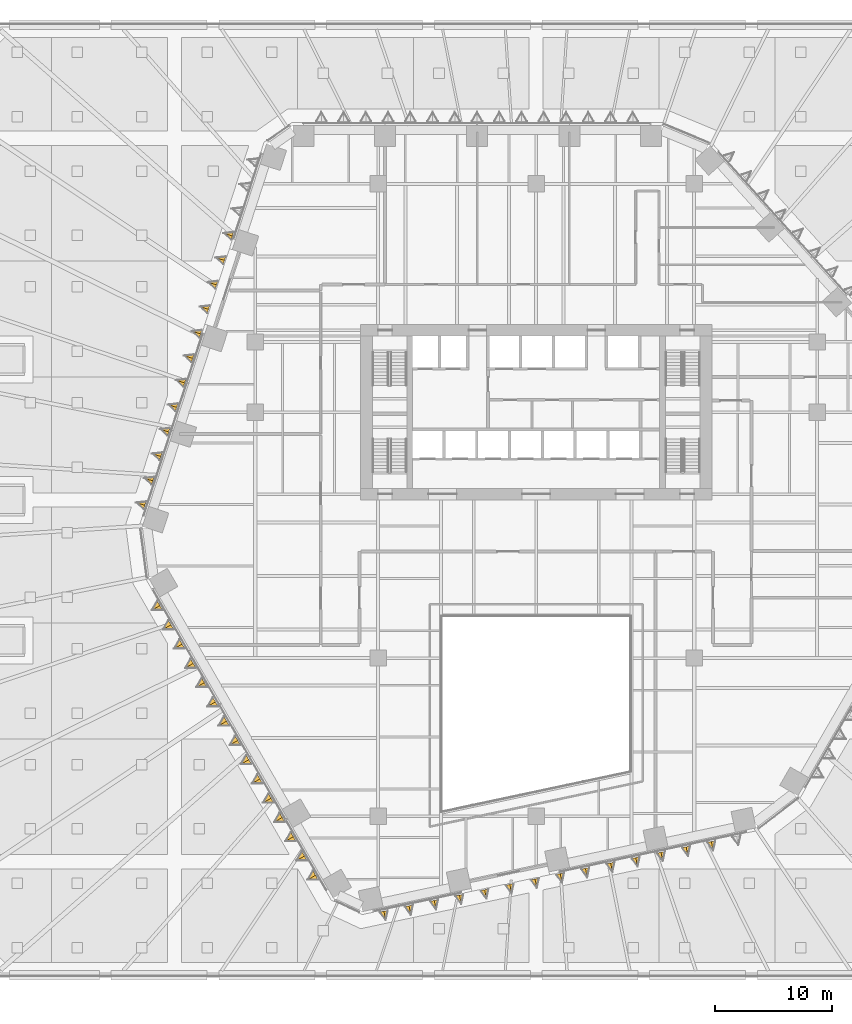
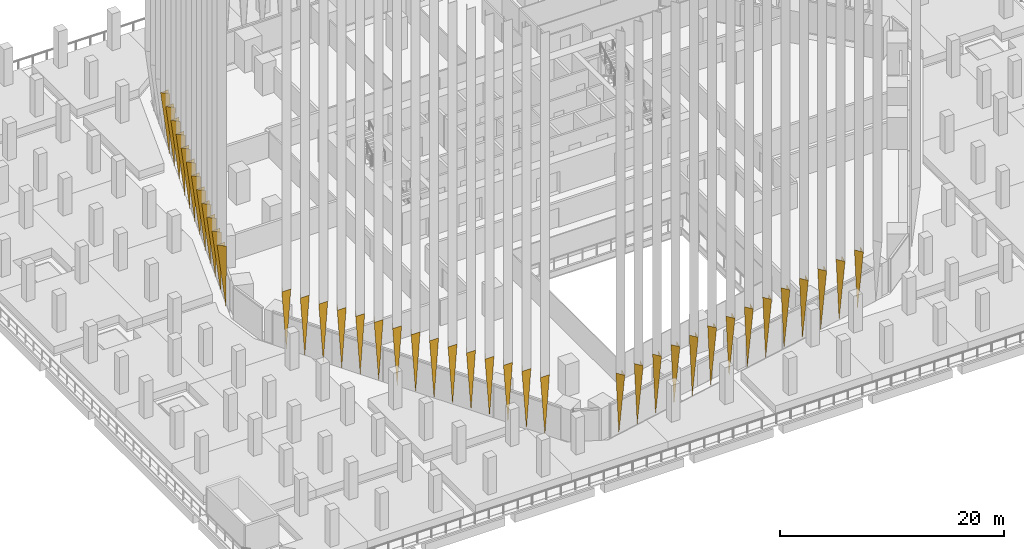
# One storey, part 47 of 51: 41 coverings.
"""IFC4 building model written with IfcOpenShell, lengths in metres."""

from ifc_helpers import new_model, si_unit, direction, frame, origin, place, context, subcontext, project, spatial, polyline, outline, faceted_brep, material, material_profile, profile_set, type_object, element, save


model = new_model("IFC4")

# Units and contexts
model_context = context("Model", 3, precision=1e-05, world=origin(), true_north=direction((0.0, 1.0)))
body_context = subcontext(model_context, "Body", "Model", "MODEL_VIEW")
ifc_project = project(units=[si_unit("LENGTHUNIT", "METRE"), si_unit("AREAUNIT", "SQUARE_METRE"), si_unit("VOLUMEUNIT", "CUBIC_METRE"), si_unit("PLANEANGLEUNIT", "RADIAN"), si_unit("MASSUNIT", "GRAM", prefix="KILO")], contexts=[model_context])

# Site, building, storey
site_placement = place(None, origin())
site = spatial("IfcSite", under=ifc_project, at=site_placement, CompositionType="ELEMENT")
building_placement = place(site_placement, origin())
building = spatial("IfcBuilding", under=site, at=building_placement, Name="Isthmus Gate Tower", CompositionType="ELEMENT")
storey_placement = place(building_placement, frame((0.0, 0.0, 36.0)))
storey = spatial("IfcBuildingStorey", under=building, at=storey_placement, Name="L06", CompositionType="ELEMENT", Elevation=36.0)

# Coverings
ifc_material_1 = material(Name="Structural steel ASTM A572 Gr 50, white paint system", Category="steel")
ifc_material_profile_1 = material_profile(ifc_material_1, outline(polyline([(0.0, -0.356201171875), (0.800048828125, 0.0), (0.0, 0.356201171875), (0.0, 0.3232421875), (0.726318359375, 0.0), (0.0, -0.3232421875), (0.0, -0.356201171875)])), Name="V800")
ifc_profile_set_1 = profile_set([ifc_material_profile_1], Name="Structural steel ASTM A572 Gr 50, white paint system")
covering_type_1 = type_object("IfcCoveringType", Name="FIN V 800 DEEP FOOT", PredefinedType="CLADDING", material=ifc_profile_set_1)
covering_1_placement = place(storey_placement, frame((0.0, 0.0, -36.0)))
element("IfcCovering", 1, at=covering_1_placement, inside=storey, type_object=covering_type_1, Name="FIN", ObjectType="FIN", PredefinedType="CLADDING", context=body_context, shape_type="Brep", body=[
    faceted_brep([(-25.841064453125, 22.893310546875, 42.89990234375), (-26.7119140625, 22.8017578125, 42.89990234375), (-26.061279296875, 22.215576171875, 42.89990234375), (-26.051025390625, 22.246826171875, 42.89990234375), (-26.641845703125, 22.77880859375, 42.89990234375), (-25.851318359375, 22.862060546875, 42.89990234375), (-25.951171875, 22.554443359375, 36.10009765625)], [[[0, 1, 2, 3, 4, 5]], [[1, 0, 6]], [[2, 1, 6]], [[3, 2, 6]], [[4, 3, 6]], [[5, 4, 6]], [[0, 5, 6]]]),
])
covering_2_placement = place(storey_placement, frame((0.0, 0.0, -36.0)))
element("IfcCovering", 2, at=covering_2_placement, inside=storey, type_object=covering_type_1, Name="FIN", ObjectType="FIN", PredefinedType="CLADDING", context=body_context, shape_type="Brep", body=[
    faceted_brep([(-26.520751953125, 20.801025390625, 42.89990234375), (-27.3916015625, 20.70947265625, 42.89990234375), (-26.740966796875, 20.123291015625, 42.89990234375), (-26.730712890625, 20.154541015625, 42.89990234375), (-27.321533203125, 20.6865234375, 42.89990234375), (-26.531005859375, 20.769775390625, 42.89990234375), (-26.630859375, 20.462158203125, 36.10009765625)], [[[0, 1, 2, 3, 4, 5]], [[1, 0, 6]], [[2, 1, 6]], [[3, 2, 6]], [[4, 3, 6]], [[5, 4, 6]], [[0, 5, 6]]]),
])
covering_3_placement = place(storey_placement, frame((0.0, 0.0, -36.0)))
element("IfcCovering", 3, at=covering_3_placement, inside=storey, type_object=covering_type_1, Name="FIN", ObjectType="FIN", PredefinedType="CLADDING", context=body_context, shape_type="Brep", body=[
    faceted_brep([(-27.20068359375, 18.708740234375, 42.89990234375), (-28.071533203125, 18.6171875, 42.89990234375), (-27.4208984375, 18.031005859375, 42.89990234375), (-27.41064453125, 18.062255859375, 42.89990234375), (-28.00146484375, 18.59423828125, 42.89990234375), (-27.2109375, 18.677490234375, 42.89990234375), (-27.310791015625, 18.369873046875, 36.10009765625)], [[[0, 1, 2, 3, 4, 5]], [[1, 0, 6]], [[2, 1, 6]], [[3, 2, 6]], [[4, 3, 6]], [[5, 4, 6]], [[0, 5, 6]]]),
])
covering_4_placement = place(storey_placement, frame((0.0, 0.0, -36.0)))
element("IfcCovering", 4, at=covering_4_placement, inside=storey, type_object=covering_type_1, Name="FIN", ObjectType="FIN", PredefinedType="CLADDING", context=body_context, shape_type="Brep", body=[
    faceted_brep([(-27.880615234375, 16.616455078125, 42.89990234375), (-28.75146484375, 16.52490234375, 42.89990234375), (-28.100830078125, 15.938720703125, 42.89990234375), (-28.090576171875, 15.969970703125, 42.89990234375), (-28.681396484375, 16.501953125, 42.89990234375), (-27.890869140625, 16.585205078125, 42.89990234375), (-27.99072265625, 16.277587890625, 36.10009765625)], [[[0, 1, 2, 3, 4, 5]], [[1, 0, 6]], [[2, 1, 6]], [[3, 2, 6]], [[4, 3, 6]], [[5, 4, 6]], [[0, 5, 6]]]),
])
covering_5_placement = place(storey_placement, frame((0.0, 0.0, -36.0)))
element("IfcCovering", 5, at=covering_5_placement, inside=storey, type_object=covering_type_1, Name="FIN", ObjectType="FIN", PredefinedType="CLADDING", context=body_context, shape_type="Brep", body=[
    faceted_brep([(-28.560302734375, 14.524169921875, 42.89990234375), (-29.43115234375, 14.4326171875, 42.89990234375), (-28.780517578125, 13.846435546875, 42.89990234375), (-28.770263671875, 13.877685546875, 42.89990234375), (-29.361083984375, 14.40966796875, 42.89990234375), (-28.570556640625, 14.492919921875, 42.89990234375), (-28.67041015625, 14.185302734375, 36.10009765625)], [[[0, 1, 2, 3, 4, 5]], [[1, 0, 6]], [[2, 1, 6]], [[3, 2, 6]], [[4, 3, 6]], [[5, 4, 6]], [[0, 5, 6]]]),
])
covering_6_placement = place(storey_placement, frame((0.0, 0.0, -36.0)))
element("IfcCovering", 6, at=covering_6_placement, inside=storey, type_object=covering_type_1, Name="FIN", ObjectType="FIN", PredefinedType="CLADDING", context=body_context, shape_type="Brep", body=[
    faceted_brep([(-29.240234375, 12.431640625, 42.89990234375), (-30.111083984375, 12.340087890625, 42.89990234375), (-29.46044921875, 11.75390625, 42.89990234375), (-29.4501953125, 11.78515625, 42.89990234375), (-30.041015625, 12.317138671875, 42.89990234375), (-29.25048828125, 12.400390625, 42.89990234375), (-29.350341796875, 12.0927734375, 36.10009765625)], [[[0, 1, 2, 3, 4, 5]], [[1, 0, 6]], [[2, 1, 6]], [[3, 2, 6]], [[4, 3, 6]], [[5, 4, 6]], [[0, 5, 6]]]),
])
covering_7_placement = place(storey_placement, frame((0.0, 0.0, -36.0)))
element("IfcCovering", 7, at=covering_7_placement, inside=storey, type_object=covering_type_1, Name="FIN", ObjectType="FIN", PredefinedType="CLADDING", context=body_context, shape_type="Brep", body=[
    faceted_brep([(-29.920166015625, 10.33935546875, 42.89990234375), (-30.791015625, 10.247802734375, 42.89990234375), (-30.140380859375, 9.66162109375, 42.89990234375), (-30.130126953125, 9.69287109375, 42.89990234375), (-30.720947265625, 10.224853515625, 42.89990234375), (-29.930419921875, 10.30810546875, 42.89990234375), (-30.0302734375, 10.00048828125, 36.10009765625)], [[[0, 1, 2, 3, 4, 5]], [[1, 0, 6]], [[2, 1, 6]], [[3, 2, 6]], [[4, 3, 6]], [[5, 4, 6]], [[0, 5, 6]]]),
])
covering_8_placement = place(storey_placement, frame((0.0, 0.0, -36.0)))
element("IfcCovering", 8, at=covering_8_placement, inside=storey, type_object=covering_type_1, Name="FIN", ObjectType="FIN", PredefinedType="CLADDING", context=body_context, shape_type="Brep", body=[
    faceted_brep([(-30.599853515625, 8.2470703125, 42.89990234375), (-31.470703125, 8.155517578125, 42.89990234375), (-30.820068359375, 7.5693359375, 42.89990234375), (-30.809814453125, 7.6005859375, 42.89990234375), (-31.400634765625, 8.132568359375, 42.89990234375), (-30.610107421875, 8.2158203125, 42.89990234375), (-30.7099609375, 7.908203125, 36.10009765625)], [[[0, 1, 2, 3, 4, 5]], [[1, 0, 6]], [[2, 1, 6]], [[3, 2, 6]], [[4, 3, 6]], [[5, 4, 6]], [[0, 5, 6]]]),
])
covering_9_placement = place(storey_placement, frame((0.0, 0.0, -36.0)))
element("IfcCovering", 9, at=covering_9_placement, inside=storey, type_object=covering_type_1, Name="FIN", ObjectType="FIN", PredefinedType="CLADDING", context=body_context, shape_type="Brep", body=[
    faceted_brep([(-31.27978515625, 6.15478515625, 42.89990234375), (-32.150634765625, 6.063232421875, 42.89990234375), (-31.5, 5.47705078125, 42.89990234375), (-31.48974609375, 5.50830078125, 42.89990234375), (-32.08056640625, 6.040283203125, 42.89990234375), (-31.2900390625, 6.12353515625, 42.89990234375), (-31.389892578125, 5.81591796875, 36.10009765625)], [[[0, 1, 2, 3, 4, 5]], [[1, 0, 6]], [[2, 1, 6]], [[3, 2, 6]], [[4, 3, 6]], [[5, 4, 6]], [[0, 5, 6]]]),
])
covering_10_placement = place(storey_placement, frame((0.0, 0.0, -36.0)))
element("IfcCovering", 10, at=covering_10_placement, inside=storey, type_object=covering_type_1, Name="FIN", ObjectType="FIN", PredefinedType="CLADDING", context=body_context, shape_type="Brep", body=[
    faceted_brep([(-31.95947265625, 4.0625, 42.89990234375), (-32.830322265625, 3.970947265625, 42.89990234375), (-32.1796875, 3.384765625, 42.89990234375), (-32.16943359375, 3.416015625, 42.89990234375), (-32.76025390625, 3.947998046875, 42.89990234375), (-31.9697265625, 4.03125, 42.89990234375), (-32.069580078125, 3.7236328125, 36.10009765625)], [[[0, 1, 2, 3, 4, 5]], [[1, 0, 6]], [[2, 1, 6]], [[3, 2, 6]], [[4, 3, 6]], [[5, 4, 6]], [[0, 5, 6]]]),
])
covering_11_placement = place(storey_placement, frame((0.0, 0.0, -36.0)))
element("IfcCovering", 11, at=covering_11_placement, inside=storey, type_object=covering_type_1, Name="FIN", ObjectType="FIN", PredefinedType="CLADDING", context=body_context, shape_type="Brep", body=[
    faceted_brep([(-32.639404296875, 1.97021484375, 42.89990234375), (-33.51025390625, 1.878662109375, 42.89990234375), (-32.859619140625, 1.29248046875, 42.89990234375), (-32.849365234375, 1.32373046875, 42.89990234375), (-33.440185546875, 1.855712890625, 42.89990234375), (-32.649658203125, 1.93896484375, 42.89990234375), (-32.74951171875, 1.63134765625, 36.10009765625)], [[[0, 1, 2, 3, 4, 5]], [[1, 0, 6]], [[2, 1, 6]], [[3, 2, 6]], [[4, 3, 6]], [[5, 4, 6]], [[0, 5, 6]]]),
])
covering_12_placement = place(storey_placement, frame((0.0, 0.0, -36.0)))
element("IfcCovering", 12, at=covering_12_placement, inside=storey, type_object=covering_type_1, Name="FIN", ObjectType="FIN", PredefinedType="CLADDING", context=body_context, shape_type="Brep", body=[
    faceted_brep([(-33.3193359375, -0.122314453125, 42.89990234375), (-34.190185546875, -0.2138671875, 42.89990234375), (-33.53955078125, -0.800048828125, 42.89990234375), (-33.529296875, -0.768798828125, 42.89990234375), (-34.1201171875, -0.23681640625, 42.89990234375), (-33.32958984375, -0.153564453125, 42.89990234375), (-33.429443359375, -0.461181640625, 36.10009765625)], [[[0, 1, 2, 3, 4, 5]], [[1, 0, 6]], [[2, 1, 6]], [[3, 2, 6]], [[4, 3, 6]], [[5, 4, 6]], [[0, 5, 6]]]),
])
covering_13_placement = place(storey_placement, frame((0.0, 0.0, -36.0)))
element("IfcCovering", 13, at=covering_13_placement, inside=storey, type_object=covering_type_1, Name="FIN", ObjectType="FIN", PredefinedType="CLADDING", context=body_context, shape_type="Brep", body=[
    faceted_brep([(-13.361328125, -35.19775390625, 42.89990234375), (-12.8466796875, -35.90625, 42.89990234375), (-12.66455078125, -35.0498046875, 42.89990234375), (-12.69677734375, -35.056640625, 42.89990234375), (-12.862060546875, -35.834228515625, 42.89990234375), (-13.3291015625, -35.19091796875, 42.89990234375), (-13.012939453125, -35.123779296875, 36.10009765625)], [[[0, 1, 2, 3, 4, 5]], [[1, 0, 6]], [[2, 1, 6]], [[3, 2, 6]], [[4, 3, 6]], [[5, 4, 6]], [[0, 5, 6]]]),
])
covering_14_placement = place(storey_placement, frame((0.0, 0.0, -36.0)))
element("IfcCovering", 14, at=covering_14_placement, inside=storey, type_object=covering_type_1, Name="FIN", ObjectType="FIN", PredefinedType="CLADDING", context=body_context, shape_type="Brep", body=[
    faceted_brep([(-11.20947265625, -34.740478515625, 42.89990234375), (-10.69482421875, -35.448974609375, 42.89990234375), (-10.5126953125, -34.592529296875, 42.89990234375), (-10.544921875, -34.599365234375, 42.89990234375), (-10.710205078125, -35.376953125, 42.89990234375), (-11.17724609375, -34.733642578125, 42.89990234375), (-10.861083984375, -34.66650390625, 36.10009765625)], [[[0, 1, 2, 3, 4, 5]], [[1, 0, 6]], [[2, 1, 6]], [[3, 2, 6]], [[4, 3, 6]], [[5, 4, 6]], [[0, 5, 6]]]),
])
covering_15_placement = place(storey_placement, frame((0.0, 0.0, -36.0)))
element("IfcCovering", 15, at=covering_15_placement, inside=storey, type_object=covering_type_1, Name="FIN", ObjectType="FIN", PredefinedType="CLADDING", context=body_context, shape_type="Brep", body=[
    faceted_brep([(-9.0576171875, -34.282958984375, 42.89990234375), (-8.54296875, -34.991455078125, 42.89990234375), (-8.36083984375, -34.135009765625, 42.89990234375), (-8.39306640625, -34.141845703125, 42.89990234375), (-8.558349609375, -34.91943359375, 42.89990234375), (-9.025390625, -34.276123046875, 42.89990234375), (-8.709228515625, -34.208984375, 36.10009765625)], [[[0, 1, 2, 3, 4, 5]], [[1, 0, 6]], [[2, 1, 6]], [[3, 2, 6]], [[4, 3, 6]], [[5, 4, 6]], [[0, 5, 6]]]),
])
covering_16_placement = place(storey_placement, frame((0.0, 0.0, -36.0)))
element("IfcCovering", 16, at=covering_16_placement, inside=storey, type_object=covering_type_1, Name="FIN", ObjectType="FIN", PredefinedType="CLADDING", context=body_context, shape_type="Brep", body=[
    faceted_brep([(-6.905517578125, -33.82568359375, 42.89990234375), (-6.390869140625, -34.5341796875, 42.89990234375), (-6.208740234375, -33.677734375, 42.89990234375), (-6.240966796875, -33.6845703125, 42.89990234375), (-6.40625, -34.462158203125, 42.89990234375), (-6.873291015625, -33.81884765625, 42.89990234375), (-6.55712890625, -33.751708984375, 36.10009765625)], [[[0, 1, 2, 3, 4, 5]], [[1, 0, 6]], [[2, 1, 6]], [[3, 2, 6]], [[4, 3, 6]], [[5, 4, 6]], [[0, 5, 6]]]),
])
covering_17_placement = place(storey_placement, frame((0.0, 0.0, -36.0)))
element("IfcCovering", 17, at=covering_17_placement, inside=storey, type_object=covering_type_1, Name="FIN", ObjectType="FIN", PredefinedType="CLADDING", context=body_context, shape_type="Brep", body=[
    faceted_brep([(-4.753662109375, -33.3681640625, 42.89990234375), (-4.239013671875, -34.07666015625, 42.89990234375), (-4.056884765625, -33.22021484375, 42.89990234375), (-4.089111328125, -33.22705078125, 42.89990234375), (-4.25439453125, -34.004638671875, 42.89990234375), (-4.721435546875, -33.361328125, 42.89990234375), (-4.4052734375, -33.294189453125, 36.10009765625)], [[[0, 1, 2, 3, 4, 5]], [[1, 0, 6]], [[2, 1, 6]], [[3, 2, 6]], [[4, 3, 6]], [[5, 4, 6]], [[0, 5, 6]]]),
])
covering_18_placement = place(storey_placement, frame((0.0, 0.0, -36.0)))
element("IfcCovering", 18, at=covering_18_placement, inside=storey, type_object=covering_type_1, Name="FIN", ObjectType="FIN", PredefinedType="CLADDING", context=body_context, shape_type="Brep", body=[
    faceted_brep([(-2.601806640625, -32.91064453125, 42.89990234375), (-2.087158203125, -33.619140625, 42.89990234375), (-1.905029296875, -32.7626953125, 42.89990234375), (-1.937255859375, -32.76953125, 42.89990234375), (-2.1025390625, -33.547119140625, 42.89990234375), (-2.569580078125, -32.90380859375, 42.89990234375), (-2.25341796875, -32.836669921875, 36.10009765625)], [[[0, 1, 2, 3, 4, 5]], [[1, 0, 6]], [[2, 1, 6]], [[3, 2, 6]], [[4, 3, 6]], [[5, 4, 6]], [[0, 5, 6]]]),
])
covering_19_placement = place(storey_placement, frame((0.0, 0.0, -36.0)))
element("IfcCovering", 19, at=covering_19_placement, inside=storey, type_object=covering_type_1, Name="FIN", ObjectType="FIN", PredefinedType="CLADDING", context=body_context, shape_type="Brep", body=[
    faceted_brep([(-0.44970703125, -32.453369140625, 42.89990234375), (0.06494140625, -33.161865234375, 42.89990234375), (0.2470703125, -32.305419921875, 42.89990234375), (0.21484375, -32.312255859375, 42.89990234375), (0.049560546875, -33.08984375, 42.89990234375), (-0.41748046875, -32.446533203125, 42.89990234375), (-0.101318359375, -32.37939453125, 36.10009765625)], [[[0, 1, 2, 3, 4, 5]], [[1, 0, 6]], [[2, 1, 6]], [[3, 2, 6]], [[4, 3, 6]], [[5, 4, 6]], [[0, 5, 6]]]),
])
covering_20_placement = place(storey_placement, frame((0.0, 0.0, -36.0)))
element("IfcCovering", 20, at=covering_20_placement, inside=storey, type_object=covering_type_1, Name="FIN", ObjectType="FIN", PredefinedType="CLADDING", context=body_context, shape_type="Brep", body=[
    faceted_brep([(1.7021484375, -31.995849609375, 42.89990234375), (2.216796875, -32.704345703125, 42.89990234375), (2.39892578125, -31.847900390625, 42.89990234375), (2.36669921875, -31.854736328125, 42.89990234375), (2.201416015625, -32.63232421875, 42.89990234375), (1.734375, -31.989013671875, 42.89990234375), (2.050537109375, -31.921875, 36.10009765625)], [[[0, 1, 2, 3, 4, 5]], [[1, 0, 6]], [[2, 1, 6]], [[3, 2, 6]], [[4, 3, 6]], [[5, 4, 6]], [[0, 5, 6]]]),
])
covering_21_placement = place(storey_placement, frame((0.0, 0.0, -36.0)))
element("IfcCovering", 21, at=covering_21_placement, inside=storey, type_object=covering_type_1, Name="FIN", ObjectType="FIN", PredefinedType="CLADDING", context=body_context, shape_type="Brep", body=[
    faceted_brep([(3.85400390625, -31.53857421875, 42.89990234375), (4.36865234375, -32.2470703125, 42.89990234375), (4.55078125, -31.390625, 42.89990234375), (4.5185546875, -31.3974609375, 42.89990234375), (4.353271484375, -32.175048828125, 42.89990234375), (3.88623046875, -31.53173828125, 42.89990234375), (4.202392578125, -31.464599609375, 36.10009765625)], [[[0, 1, 2, 3, 4, 5]], [[1, 0, 6]], [[2, 1, 6]], [[3, 2, 6]], [[4, 3, 6]], [[5, 4, 6]], [[0, 5, 6]]]),
])
covering_22_placement = place(storey_placement, frame((0.0, 0.0, -36.0)))
element("IfcCovering", 22, at=covering_22_placement, inside=storey, type_object=covering_type_1, Name="FIN", ObjectType="FIN", PredefinedType="CLADDING", context=body_context, shape_type="Brep", body=[
    faceted_brep([(6.005859375, -31.0810546875, 42.89990234375), (6.5205078125, -31.78955078125, 42.89990234375), (6.70263671875, -30.93310546875, 42.89990234375), (6.67041015625, -30.93994140625, 42.89990234375), (6.505126953125, -31.717529296875, 42.89990234375), (6.0380859375, -31.07421875, 42.89990234375), (6.354248046875, -31.007080078125, 36.10009765625)], [[[0, 1, 2, 3, 4, 5]], [[1, 0, 6]], [[2, 1, 6]], [[3, 2, 6]], [[4, 3, 6]], [[5, 4, 6]], [[0, 5, 6]]]),
])
covering_23_placement = place(storey_placement, frame((0.0, 0.0, -36.0)))
element("IfcCovering", 23, at=covering_23_placement, inside=storey, type_object=covering_type_1, Name="FIN", ObjectType="FIN", PredefinedType="CLADDING", context=body_context, shape_type="Brep", body=[
    faceted_brep([(8.157958984375, -30.623779296875, 42.89990234375), (8.672607421875, -31.332275390625, 42.89990234375), (8.854736328125, -30.475830078125, 42.89990234375), (8.822509765625, -30.482666015625, 42.89990234375), (8.6572265625, -31.26025390625, 42.89990234375), (8.190185546875, -30.616943359375, 42.89990234375), (8.50634765625, -30.5498046875, 36.10009765625)], [[[0, 1, 2, 3, 4, 5]], [[1, 0, 6]], [[2, 1, 6]], [[3, 2, 6]], [[4, 3, 6]], [[5, 4, 6]], [[0, 5, 6]]]),
])
covering_24_placement = place(storey_placement, frame((0.0, 0.0, -36.0)))
element("IfcCovering", 24, at=covering_24_placement, inside=storey, type_object=covering_type_1, Name="FIN", ObjectType="FIN", PredefinedType="CLADDING", context=body_context, shape_type="Brep", body=[
    faceted_brep([(10.309814453125, -30.166259765625, 42.89990234375), (10.824462890625, -30.874755859375, 42.89990234375), (11.006591796875, -30.018310546875, 42.89990234375), (10.974365234375, -30.025146484375, 42.89990234375), (10.80908203125, -30.802734375, 42.89990234375), (10.342041015625, -30.159423828125, 42.89990234375), (10.658203125, -30.09228515625, 36.10009765625)], [[[0, 1, 2, 3, 4, 5]], [[1, 0, 6]], [[2, 1, 6]], [[3, 2, 6]], [[4, 3, 6]], [[5, 4, 6]], [[0, 5, 6]]]),
])
covering_25_placement = place(storey_placement, frame((0.0, 0.0, -36.0)))
element("IfcCovering", 25, at=covering_25_placement, inside=storey, type_object=covering_type_1, Name="FIN", ObjectType="FIN", PredefinedType="CLADDING", context=body_context, shape_type="Brep", body=[
    faceted_brep([(12.461669921875, -29.708984375, 42.89990234375), (12.976318359375, -30.41748046875, 42.89990234375), (13.158447265625, -29.56103515625, 42.89990234375), (13.126220703125, -29.56787109375, 42.89990234375), (12.9609375, -30.345458984375, 42.89990234375), (12.493896484375, -29.7021484375, 42.89990234375), (12.81005859375, -29.635009765625, 36.10009765625)], [[[0, 1, 2, 3, 4, 5]], [[1, 0, 6]], [[2, 1, 6]], [[3, 2, 6]], [[4, 3, 6]], [[5, 4, 6]], [[0, 5, 6]]]),
])
covering_26_placement = place(storey_placement, frame((0.0, 0.0, -36.0)))
element("IfcCovering", 26, at=covering_26_placement, inside=storey, type_object=covering_type_1, Name="FIN", ObjectType="FIN", PredefinedType="CLADDING", context=body_context, shape_type="Brep", body=[
    faceted_brep([(14.61376953125, -29.25146484375, 42.89990234375), (15.12841796875, -29.9599609375, 42.89990234375), (15.310546875, -29.103515625, 42.89990234375), (15.2783203125, -29.1103515625, 42.89990234375), (15.113037109375, -29.887939453125, 42.89990234375), (14.64599609375, -29.24462890625, 42.89990234375), (14.962158203125, -29.177490234375, 36.10009765625)], [[[0, 1, 2, 3, 4, 5]], [[1, 0, 6]], [[2, 1, 6]], [[3, 2, 6]], [[4, 3, 6]], [[5, 4, 6]], [[0, 5, 6]]]),
])
ifc_material_2 = material(Name="Structural steel ASTM A572 Gr 50, white paint system", Category="steel")
ifc_material_profile_2 = material_profile(ifc_material_2, outline(polyline([(0.0, -0.4619140625), (0.800048828125, 0.0), (0.0, 0.4619140625), (0.0, 0.42724609375), (0.739990234375, 0.0), (0.0, -0.42724609375), (0.0, -0.4619140625)])), Name="V800W")
ifc_profile_set_2 = profile_set([ifc_material_profile_2], Name="Structural steel ASTM A572 Gr 50, white paint system")
covering_type_2 = type_object("IfcCoveringType", Name="FIN V 800 DEEP WIDE FOOT", PredefinedType="CLADDING", material=ifc_profile_set_2)
covering_27_placement = place(storey_placement, frame((0.0, 0.0, -36.0)))
element("IfcCovering", 27, at=covering_27_placement, inside=storey, type_object=covering_type_2, Name="FIN", ObjectType="FIN", PredefinedType="CLADDING", context=body_context, shape_type="Brep", body=[
    faceted_brep([(-32.378173828125, -8.619384765625, 42.89990234375), (-32.840087890625, -9.419189453125, 42.89990234375), (-31.916259765625, -9.419189453125, 42.89990234375), (-31.93359375, -9.389404296875, 42.89990234375), (-32.7880859375, -9.389404296875, 42.89990234375), (-32.36083984375, -8.649169921875, 42.89990234375), (-32.147216796875, -9.019287109375, 36.10009765625)], [[[0, 1, 2, 3, 4, 5]], [[1, 0, 6]], [[2, 1, 6]], [[3, 2, 6]], [[4, 3, 6]], [[5, 4, 6]], [[0, 5, 6]]]),
])
covering_28_placement = place(storey_placement, frame((0.0, 0.0, -36.0)))
element("IfcCovering", 28, at=covering_28_placement, inside=storey, type_object=covering_type_2, Name="FIN", ObjectType="FIN", PredefinedType="CLADDING", context=body_context, shape_type="Brep", body=[
    faceted_brep([(-31.42822265625, -10.2646484375, 42.89990234375), (-31.89013671875, -11.064453125, 42.89990234375), (-30.96630859375, -11.064453125, 42.89990234375), (-30.983642578125, -11.03466796875, 42.89990234375), (-31.838134765625, -11.03466796875, 42.89990234375), (-31.410888671875, -10.29443359375, 42.89990234375), (-31.197265625, -10.66455078125, 36.10009765625)], [[[0, 1, 2, 3, 4, 5]], [[1, 0, 6]], [[2, 1, 6]], [[3, 2, 6]], [[4, 3, 6]], [[5, 4, 6]], [[0, 5, 6]]]),
])
covering_29_placement = place(storey_placement, frame((0.0, 0.0, -36.0)))
element("IfcCovering", 29, at=covering_29_placement, inside=storey, type_object=covering_type_2, Name="FIN", ObjectType="FIN", PredefinedType="CLADDING", context=body_context, shape_type="Brep", body=[
    faceted_brep([(-30.478271484375, -11.91015625, 42.89990234375), (-30.940185546875, -12.7099609375, 42.89990234375), (-30.016357421875, -12.7099609375, 42.89990234375), (-30.03369140625, -12.68017578125, 42.89990234375), (-30.88818359375, -12.68017578125, 42.89990234375), (-30.4609375, -11.93994140625, 42.89990234375), (-30.247314453125, -12.31005859375, 36.10009765625)], [[[0, 1, 2, 3, 4, 5]], [[1, 0, 6]], [[2, 1, 6]], [[3, 2, 6]], [[4, 3, 6]], [[5, 4, 6]], [[0, 5, 6]]]),
])
covering_30_placement = place(storey_placement, frame((0.0, 0.0, -36.0)))
element("IfcCovering", 30, at=covering_30_placement, inside=storey, type_object=covering_type_2, Name="FIN", ObjectType="FIN", PredefinedType="CLADDING", context=body_context, shape_type="Brep", body=[
    faceted_brep([(-29.5283203125, -13.5556640625, 42.89990234375), (-29.990234375, -14.35546875, 42.89990234375), (-29.06640625, -14.35546875, 42.89990234375), (-29.083740234375, -14.32568359375, 42.89990234375), (-29.938232421875, -14.32568359375, 42.89990234375), (-29.510986328125, -13.58544921875, 42.89990234375), (-29.29736328125, -13.95556640625, 36.10009765625)], [[[0, 1, 2, 3, 4, 5]], [[1, 0, 6]], [[2, 1, 6]], [[3, 2, 6]], [[4, 3, 6]], [[5, 4, 6]], [[0, 5, 6]]]),
])
covering_31_placement = place(storey_placement, frame((0.0, 0.0, -36.0)))
element("IfcCovering", 31, at=covering_31_placement, inside=storey, type_object=covering_type_2, Name="FIN", ObjectType="FIN", PredefinedType="CLADDING", context=body_context, shape_type="Brep", body=[
    faceted_brep([(-28.578369140625, -15.201171875, 42.89990234375), (-29.040283203125, -16.0009765625, 42.89990234375), (-28.116455078125, -16.0009765625, 42.89990234375), (-28.1337890625, -15.97119140625, 42.89990234375), (-28.98828125, -15.97119140625, 42.89990234375), (-28.56103515625, -15.23095703125, 42.89990234375), (-28.347412109375, -15.60107421875, 36.10009765625)], [[[0, 1, 2, 3, 4, 5]], [[1, 0, 6]], [[2, 1, 6]], [[3, 2, 6]], [[4, 3, 6]], [[5, 4, 6]], [[0, 5, 6]]]),
])
covering_32_placement = place(storey_placement, frame((0.0, 0.0, -36.0)))
element("IfcCovering", 32, at=covering_32_placement, inside=storey, type_object=covering_type_2, Name="FIN", ObjectType="FIN", PredefinedType="CLADDING", context=body_context, shape_type="Brep", body=[
    faceted_brep([(-27.628173828125, -16.846435546875, 42.89990234375), (-28.090087890625, -17.646240234375, 42.89990234375), (-27.166259765625, -17.646240234375, 42.89990234375), (-27.18359375, -17.616455078125, 42.89990234375), (-28.0380859375, -17.616455078125, 42.89990234375), (-27.61083984375, -16.876220703125, 42.89990234375), (-27.397216796875, -17.246337890625, 36.10009765625)], [[[0, 1, 2, 3, 4, 5]], [[1, 0, 6]], [[2, 1, 6]], [[3, 2, 6]], [[4, 3, 6]], [[5, 4, 6]], [[0, 5, 6]]]),
])
covering_33_placement = place(storey_placement, frame((0.0, 0.0, -36.0)))
element("IfcCovering", 33, at=covering_33_placement, inside=storey, type_object=covering_type_2, Name="FIN", ObjectType="FIN", PredefinedType="CLADDING", context=body_context, shape_type="Brep", body=[
    faceted_brep([(-26.67822265625, -18.491943359375, 42.89990234375), (-27.14013671875, -19.291748046875, 42.89990234375), (-26.21630859375, -19.291748046875, 42.89990234375), (-26.233642578125, -19.261962890625, 42.89990234375), (-27.088134765625, -19.261962890625, 42.89990234375), (-26.660888671875, -18.521728515625, 42.89990234375), (-26.447265625, -18.891845703125, 36.10009765625)], [[[0, 1, 2, 3, 4, 5]], [[1, 0, 6]], [[2, 1, 6]], [[3, 2, 6]], [[4, 3, 6]], [[5, 4, 6]], [[0, 5, 6]]]),
])
covering_34_placement = place(storey_placement, frame((0.0, 0.0, -36.0)))
element("IfcCovering", 34, at=covering_34_placement, inside=storey, type_object=covering_type_2, Name="FIN", ObjectType="FIN", PredefinedType="CLADDING", context=body_context, shape_type="Brep", body=[
    faceted_brep([(-25.728271484375, -20.137451171875, 42.89990234375), (-26.190185546875, -20.937255859375, 42.89990234375), (-25.266357421875, -20.937255859375, 42.89990234375), (-25.28369140625, -20.907470703125, 42.89990234375), (-26.13818359375, -20.907470703125, 42.89990234375), (-25.7109375, -20.167236328125, 42.89990234375), (-25.497314453125, -20.537353515625, 36.10009765625)], [[[0, 1, 2, 3, 4, 5]], [[1, 0, 6]], [[2, 1, 6]], [[3, 2, 6]], [[4, 3, 6]], [[5, 4, 6]], [[0, 5, 6]]]),
])
covering_35_placement = place(storey_placement, frame((0.0, 0.0, -36.0)))
element("IfcCovering", 35, at=covering_35_placement, inside=storey, type_object=covering_type_2, Name="FIN", ObjectType="FIN", PredefinedType="CLADDING", context=body_context, shape_type="Brep", body=[
    faceted_brep([(-24.7783203125, -21.782958984375, 42.89990234375), (-25.240234375, -22.582763671875, 42.89990234375), (-24.31640625, -22.582763671875, 42.89990234375), (-24.333740234375, -22.552978515625, 42.89990234375), (-25.188232421875, -22.552978515625, 42.89990234375), (-24.760986328125, -21.812744140625, 42.89990234375), (-24.54736328125, -22.182861328125, 36.10009765625)], [[[0, 1, 2, 3, 4, 5]], [[1, 0, 6]], [[2, 1, 6]], [[3, 2, 6]], [[4, 3, 6]], [[5, 4, 6]], [[0, 5, 6]]]),
])
covering_36_placement = place(storey_placement, frame((0.0, 0.0, -36.0)))
element("IfcCovering", 36, at=covering_36_placement, inside=storey, type_object=covering_type_2, Name="FIN", ObjectType="FIN", PredefinedType="CLADDING", context=body_context, shape_type="Brep", body=[
    faceted_brep([(-23.828369140625, -23.42822265625, 42.89990234375), (-24.290283203125, -24.22802734375, 42.89990234375), (-23.366455078125, -24.22802734375, 42.89990234375), (-23.3837890625, -24.1982421875, 42.89990234375), (-24.23828125, -24.1982421875, 42.89990234375), (-23.81103515625, -23.4580078125, 42.89990234375), (-23.597412109375, -23.828125, 36.10009765625)], [[[0, 1, 2, 3, 4, 5]], [[1, 0, 6]], [[2, 1, 6]], [[3, 2, 6]], [[4, 3, 6]], [[5, 4, 6]], [[0, 5, 6]]]),
])
covering_37_placement = place(storey_placement, frame((0.0, 0.0, -36.0)))
element("IfcCovering", 37, at=covering_37_placement, inside=storey, type_object=covering_type_2, Name="FIN", ObjectType="FIN", PredefinedType="CLADDING", context=body_context, shape_type="Brep", body=[
    faceted_brep([(-22.878173828125, -25.07373046875, 42.89990234375), (-23.340087890625, -25.87353515625, 42.89990234375), (-22.416259765625, -25.87353515625, 42.89990234375), (-22.43359375, -25.84375, 42.89990234375), (-23.2880859375, -25.84375, 42.89990234375), (-22.86083984375, -25.103515625, 42.89990234375), (-22.647216796875, -25.4736328125, 36.10009765625)], [[[0, 1, 2, 3, 4, 5]], [[1, 0, 6]], [[2, 1, 6]], [[3, 2, 6]], [[4, 3, 6]], [[5, 4, 6]], [[0, 5, 6]]]),
])
covering_38_placement = place(storey_placement, frame((0.0, 0.0, -36.0)))
element("IfcCovering", 38, at=covering_38_placement, inside=storey, type_object=covering_type_2, Name="FIN", ObjectType="FIN", PredefinedType="CLADDING", context=body_context, shape_type="Brep", body=[
    faceted_brep([(-21.92822265625, -26.71923828125, 42.89990234375), (-22.39013671875, -27.51904296875, 42.89990234375), (-21.46630859375, -27.51904296875, 42.89990234375), (-21.483642578125, -27.4892578125, 42.89990234375), (-22.338134765625, -27.4892578125, 42.89990234375), (-21.910888671875, -26.7490234375, 42.89990234375), (-21.697265625, -27.119140625, 36.10009765625)], [[[0, 1, 2, 3, 4, 5]], [[1, 0, 6]], [[2, 1, 6]], [[3, 2, 6]], [[4, 3, 6]], [[5, 4, 6]], [[0, 5, 6]]]),
])
covering_39_placement = place(storey_placement, frame((0.0, 0.0, -36.0)))
element("IfcCovering", 39, at=covering_39_placement, inside=storey, type_object=covering_type_2, Name="FIN", ObjectType="FIN", PredefinedType="CLADDING", context=body_context, shape_type="Brep", body=[
    faceted_brep([(-20.978271484375, -28.36474609375, 42.89990234375), (-21.440185546875, -29.16455078125, 42.89990234375), (-20.516357421875, -29.16455078125, 42.89990234375), (-20.53369140625, -29.134765625, 42.89990234375), (-21.38818359375, -29.134765625, 42.89990234375), (-20.9609375, -28.39453125, 42.89990234375), (-20.747314453125, -28.7646484375, 36.10009765625)], [[[0, 1, 2, 3, 4, 5]], [[1, 0, 6]], [[2, 1, 6]], [[3, 2, 6]], [[4, 3, 6]], [[5, 4, 6]], [[0, 5, 6]]]),
])
covering_40_placement = place(storey_placement, frame((0.0, 0.0, -36.0)))
element("IfcCovering", 40, at=covering_40_placement, inside=storey, type_object=covering_type_2, Name="FIN", ObjectType="FIN", PredefinedType="CLADDING", context=body_context, shape_type="Brep", body=[
    faceted_brep([(-20.0283203125, -30.010009765625, 42.89990234375), (-20.490234375, -30.809814453125, 42.89990234375), (-19.56640625, -30.809814453125, 42.89990234375), (-19.583740234375, -30.780029296875, 42.89990234375), (-20.438232421875, -30.780029296875, 42.89990234375), (-20.010986328125, -30.039794921875, 42.89990234375), (-19.79736328125, -30.409912109375, 36.10009765625)], [[[0, 1, 2, 3, 4, 5]], [[1, 0, 6]], [[2, 1, 6]], [[3, 2, 6]], [[4, 3, 6]], [[5, 4, 6]], [[0, 5, 6]]]),
])
covering_41_placement = place(storey_placement, frame((0.0, 0.0, -36.0)))
element("IfcCovering", 41, at=covering_41_placement, inside=storey, type_object=covering_type_2, Name="FIN", ObjectType="FIN", PredefinedType="CLADDING", context=body_context, shape_type="Brep", body=[
    faceted_brep([(-19.078369140625, -31.655517578125, 42.89990234375), (-19.540283203125, -32.455322265625, 42.89990234375), (-18.616455078125, -32.455322265625, 42.89990234375), (-18.6337890625, -32.425537109375, 42.89990234375), (-19.48828125, -32.425537109375, 42.89990234375), (-19.06103515625, -31.685302734375, 42.89990234375), (-18.847412109375, -32.055419921875, 36.10009765625)], [[[0, 1, 2, 3, 4, 5]], [[1, 0, 6]], [[2, 1, 6]], [[3, 2, 6]], [[4, 3, 6]], [[5, 4, 6]], [[0, 5, 6]]]),
])

save(model, "model.ifc")
